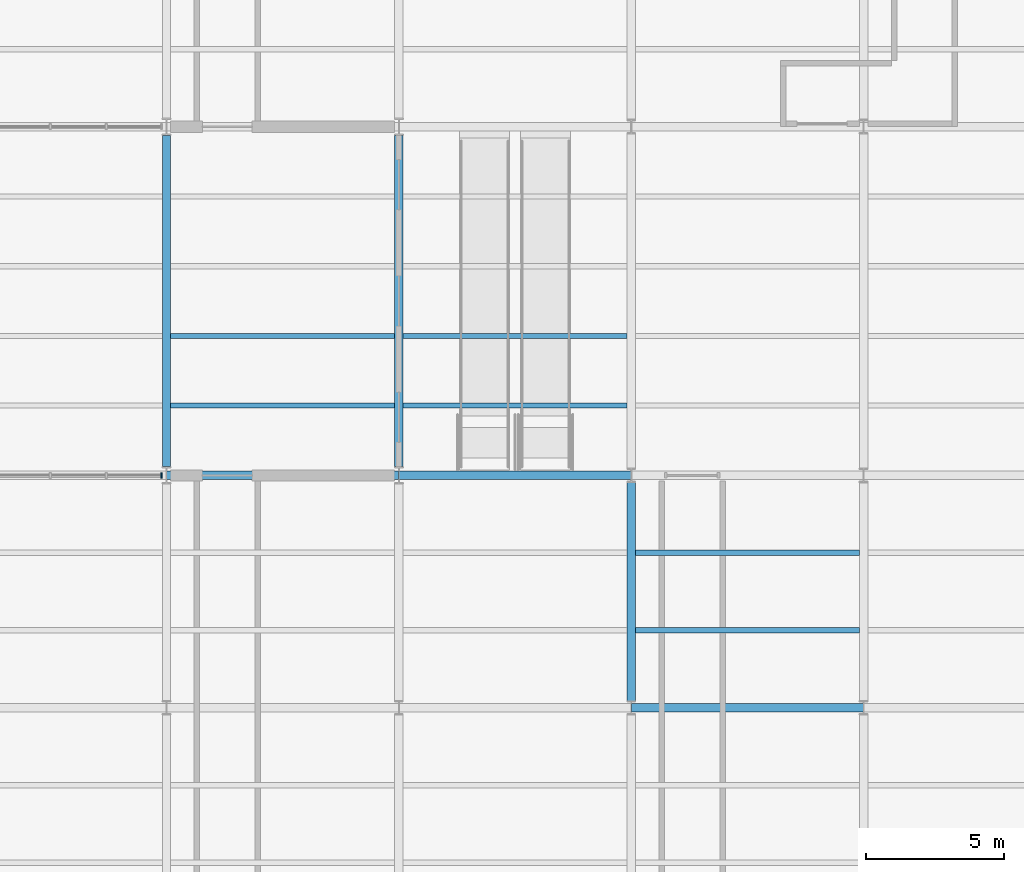
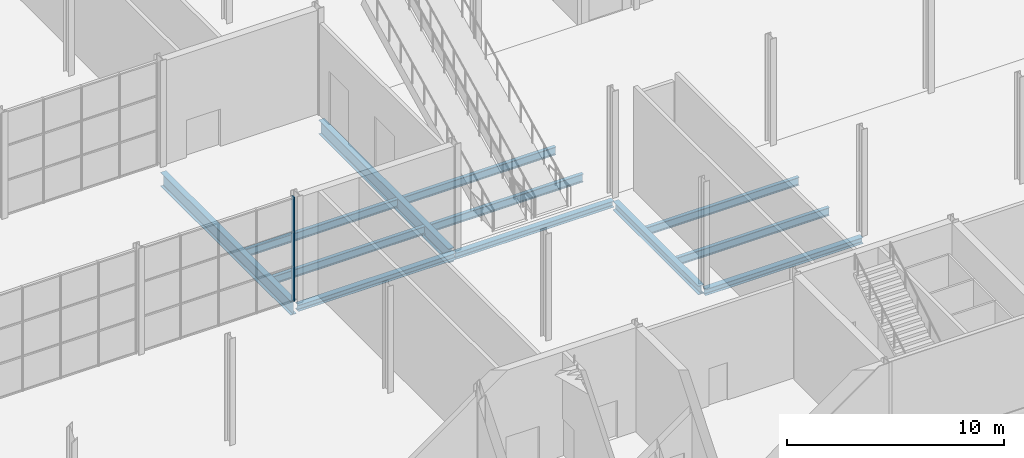
# One storey, part 13 of 55: 12 beams, 1 member, 1 element without a shape of its own.
"""IFC4 building model written with IfcOpenShell, lengths in metres."""

from ifc_helpers import new_model, si_unit, direction, frame, origin, origin_2d, place, context, subcontext, project, spatial, rectangle, i_section, extrude, material, layer, layer_set, material_profile, profile_set, type_object, element, aggregate, save


model = new_model("IFC4")

# Units and contexts
model_context = context("Model", 3, precision=1e-05, world=origin(), true_north=direction((0.0, 1.0)))
body_context = subcontext(model_context, "Body", "Model", "MODEL_VIEW")
ifc_project = project(units=[si_unit("LENGTHUNIT", "METRE"), si_unit("AREAUNIT", "SQUARE_METRE"), si_unit("VOLUMEUNIT", "CUBIC_METRE"), si_unit("PLANEANGLEUNIT", "RADIAN"), si_unit("MASSUNIT", "GRAM", prefix="KILO")], contexts=[model_context])

# Site, building, storey
site_placement = place(None, origin())
site = spatial("IfcSite", under=ifc_project, at=site_placement, CompositionType="ELEMENT")
building_placement = place(site_placement, origin())
building = spatial("IfcBuilding", under=site, at=building_placement, Name="Galleria Vessillo Department Store", CompositionType="ELEMENT")
storey_placement = place(building_placement, origin())
storey = spatial("IfcBuildingStorey", under=building, at=storey_placement, Name="L00", CompositionType="ELEMENT", Elevation=0.0)

# Curtain wall, member
ifc_material_1 = material(Name="Aluminium and glass curtain wall", Category="aluminium")
ifc_layer = layer(ifc_material_1, 0.199951171875)
ifc_layer_set = layer_set([ifc_layer], Name="Aluminium and glass curtain wall")
curtain_wall_type = type_object("IfcCurtainWallType", Name="Arcade curtain wall CW1 2100 module", PredefinedType="NOTDEFINED", material=ifc_layer_set)
curtain_wall_placement = place(storey_placement, origin())
curtain_wall = element("IfcCurtainWall", 1, at=curtain_wall_placement, inside=storey, type_object=curtain_wall_type, Name="Arcade curtain wall CW1 2100 module AI-AW-S-L00-02", PredefinedType="NOTDEFINED")
ifc_material_2 = material(Name="Aluminium alloy 6063 T6", Category="aluminium")
ifc_material_profile_1 = material_profile(ifc_material_2, rectangle(XDim=0.199951171875, YDim=0.06005859375, at=origin_2d()), Name="AL 60x200")
ifc_profile_set_1 = profile_set([ifc_material_profile_1], Name="Aluminium alloy 6063 T6")
member_type = type_object("IfcMemberType", Name="Aluminium mullion 60 x 200", PredefinedType="MULLION", material=ifc_profile_set_1)
member_placement = place(storey_placement, frame((33.41748046875, 25.199951171875, 0.0), z_axis=(0.0, 0.0, 1.0), x_axis=(0.0, 1.0, 0.0)))
member = element("IfcMember", 2, at=member_placement, type_object=member_type, Name="CW1 mullion 5", PredefinedType="MULLION", context=body_context, shape_type="SweptSolid", body=[
    extrude(rectangle(XDim=0.199951171875, YDim=0.06005859375, at=origin_2d()), origin(), (0.0, 0.0, 1.0), 5.85009765625),
])
aggregate(curtain_wall, [member])

# Beams
ifc_material_3 = material(Name="Steel S355 J2", Category="steel")
ifc_material_profile_2 = material_profile(ifc_material_3, i_section(OverallWidth=0.300048828125, OverallDepth=0.489990234375, WebThickness=0.011962890625, FlangeThickness=0.02294921875, FilletRadius=0.027099609375, at=origin_2d()), Name="HEA 500")
ifc_profile_set_2 = profile_set([ifc_material_profile_2], Name="Steel S355 J2")
beam_type_1 = type_object("IfcBeamType", Name="Floor girder HEA 500", PredefinedType="BEAM", material=ifc_profile_set_2)
beam_1_placement = place(storey_placement, frame((50.39990234375, 17.050048828125, -0.39501953125), z_axis=(0.0, 1.0, 0.0), x_axis=(-1.0, 0.0, 0.0)))
element("IfcBeam", 3, at=beam_1_placement, inside=storey, type_object=beam_type_1, Name="S-BM-L00-GI-y50400-17050", PredefinedType="BEAM", context=body_context, shape_type="SweptSolid", body=[
    extrude(i_section(OverallWidth=0.300048828125, OverallDepth=0.489990234375, WebThickness=0.011962890625, FlangeThickness=0.02294921875, FilletRadius=0.027099609375, at=origin_2d()), origin(), (0.0, 0.0, 1.0), 7.887939453125),
])
ifc_material_4 = material(Name="Steel S355 J2", Category="steel")
ifc_material_profile_3 = material_profile(ifc_material_4, i_section(OverallWidth=0.300048828125, OverallDepth=0.7900390625, WebThickness=0.014892578125, FlangeThickness=0.028076171875, FilletRadius=0.030029296875, at=origin_2d()), Name="HEA 800")
ifc_profile_set_3 = profile_set([ifc_material_profile_3], Name="Steel S355 J2")
beam_type_2 = type_object("IfcBeamType", Name="Floor girder HEA 800", PredefinedType="BEAM", material=ifc_profile_set_3)
for number, where, z_axis, x_axis, name in (
    (4, (33.60009765625, 25.51025390625, -0.64501953125), (0.0, 1.0, 0.0), (-1.0, 0.0, 0.0), "S-BM-L00-GI-y33600-25510"),
    (5, (42.0, 25.51025390625, -0.64501953125), (0.0, 1.0, 0.0), (-1.0, 0.0, 0.0), "S-BM-L00-GI-y42000-25510"),
):
    element("IfcBeam", number, at=place(storey_placement, frame(where, z_axis=z_axis, x_axis=x_axis)), inside=storey, type_object=beam_type_2, Name=name, PredefinedType="BEAM", context=body_context, shape_type="SweptSolid", body=[
        extrude(i_section(OverallWidth=0.300048828125, OverallDepth=0.7900390625, WebThickness=0.014892578125, FlangeThickness=0.028076171875, FilletRadius=0.030029296875, at=origin_2d()), origin(), (0.0, 0.0, 1.0), 11.9794921875),
    ])
ifc_material_5 = material(Name="Steel S355 J2", Category="steel")
ifc_material_profile_4 = material_profile(ifc_material_5, i_section(OverallWidth=0.18994140625, OverallDepth=0.449951171875, WebThickness=0.009521484375, FlangeThickness=0.0146484375, FilletRadius=0.02099609375, at=origin_2d()), Name="IPE 450")
ifc_profile_set_4 = profile_set([ifc_material_profile_4], Name="Steel S355 J2")
beam_type_3 = type_object("IfcBeamType", Name="Floor joist IPE 450", PredefinedType="JOIST", material=ifc_profile_set_4)
for number, where, z_axis, x_axis, name in (
    (6, (33.750244140625, 27.719970703125, -0.47509765625), (1.0, 0.0, 0.0), (0.0, 1.0, 0.0), "S-BM-L00-JO-x27720-33750"),
    (7, (33.750244140625, 30.239990234375, -0.47509765625), (1.0, 0.0, 0.0), (0.0, 1.0, 0.0), "S-BM-L00-JO-x30240-33750"),
    (8, (42.150146484375, 27.719970703125, -0.47509765625), (1.0, 0.0, 0.0), (0.0, 1.0, 0.0), "S-BM-L00-JO-x27720-42150"),
    (9, (42.150146484375, 30.239990234375, -0.47509765625), (1.0, 0.0, 0.0), (0.0, 1.0, 0.0), "S-BM-L00-JO-x30240-42150"),
):
    element("IfcBeam", number, at=place(storey_placement, frame(where, z_axis=z_axis, x_axis=x_axis)), inside=storey, type_object=beam_type_3, Name=name, PredefinedType="JOIST", context=body_context, shape_type="SweptSolid", body=[
        extrude(i_section(OverallWidth=0.18994140625, OverallDepth=0.449951171875, WebThickness=0.009521484375, FlangeThickness=0.0146484375, FilletRadius=0.02099609375, at=origin_2d()), origin(), (0.0, 0.0, 1.0), 8.099609375),
    ])
for number, where, z_axis, x_axis, name in (
    (10, (50.550048828125, 19.60009765625, -0.375), (1.0, 0.0, 0.0), (0.0, 1.0, 0.0), "S-BM-L00-JO-x19600-50550"),
    (11, (50.550048828125, 22.39990234375, -0.375), (1.0, 0.0, 0.0), (0.0, 1.0, 0.0), "S-BM-L00-JO-x22400-50550"),
):
    element("IfcBeam", number, at=place(storey_placement, frame(where, z_axis=z_axis, x_axis=x_axis)), inside=storey, type_object=beam_type_3, Name=name, PredefinedType="JOIST", context=body_context, shape_type="SweptSolid", body=[
        extrude(i_section(OverallWidth=0.18994140625, OverallDepth=0.449951171875, WebThickness=0.009521484375, FlangeThickness=0.0146484375, FilletRadius=0.02099609375, at=origin_2d()), origin(), (0.0, 0.0, 1.0), 8.099853515625),
    ])
ifc_material_6 = material(Name="Steel S355 J2", Category="steel")
ifc_material_profile_5 = material_profile(ifc_material_6, i_section(OverallWidth=0.300048828125, OverallDepth=0.35009765625, WebThickness=0.010009765625, FlangeThickness=0.017578125, FilletRadius=0.027099609375, at=origin_2d()), Name="HEA 360")
ifc_profile_set_5 = profile_set([ifc_material_profile_5], Name="Steel S355 J2")
beam_type_4 = type_object("IfcBeamType", Name="Floor tie girder HEA 360", PredefinedType="BEAM", material=ifc_profile_set_5)
beam_2_placement = place(storey_placement, frame((50.407470703125, 16.800048828125, -0.324951171875), z_axis=(1.0, 0.0, 0.0), x_axis=(0.0, 1.0, 0.0)))
element("IfcBeam", 12, at=beam_2_placement, inside=storey, type_object=beam_type_4, Name="S-BM-L00-TI-x16800-50407", PredefinedType="BEAM", context=body_context, shape_type="SweptSolid", body=[
    extrude(i_section(OverallWidth=0.300048828125, OverallDepth=0.35009765625, WebThickness=0.010009765625, FlangeThickness=0.017578125, FilletRadius=0.027099609375, at=origin_2d()), origin(), (0.0, 0.0, 1.0), 8.38525390625),
])
for number, where, z_axis, x_axis, name in (
    (13, (33.610595703125, 25.199951171875, -0.425048828125), (1.0, 0.0, 0.0), (0.0, 1.0, 0.0), "S-BM-L00-TI-x25200-33611"),
    (14, (42.0107421875, 25.199951171875, -0.425048828125), (1.0, 0.0, 0.0), (0.0, 1.0, 0.0), "S-BM-L00-TI-x25200-42011"),
):
    element("IfcBeam", number, at=place(storey_placement, frame(where, z_axis=z_axis, x_axis=x_axis)), inside=storey, type_object=beam_type_4, Name=name, PredefinedType="BEAM", context=body_context, shape_type="SweptSolid", body=[
        extrude(i_section(OverallWidth=0.300048828125, OverallDepth=0.35009765625, WebThickness=0.010009765625, FlangeThickness=0.017578125, FilletRadius=0.027099609375, at=origin_2d()), origin(), (0.0, 0.0, 1.0), 8.378662109375),
    ])

save(model, "model.ifc")
